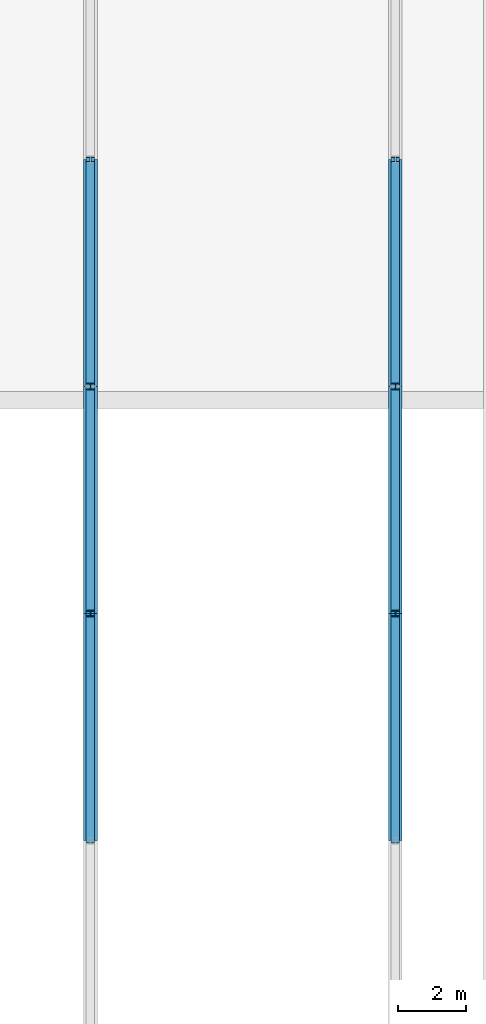
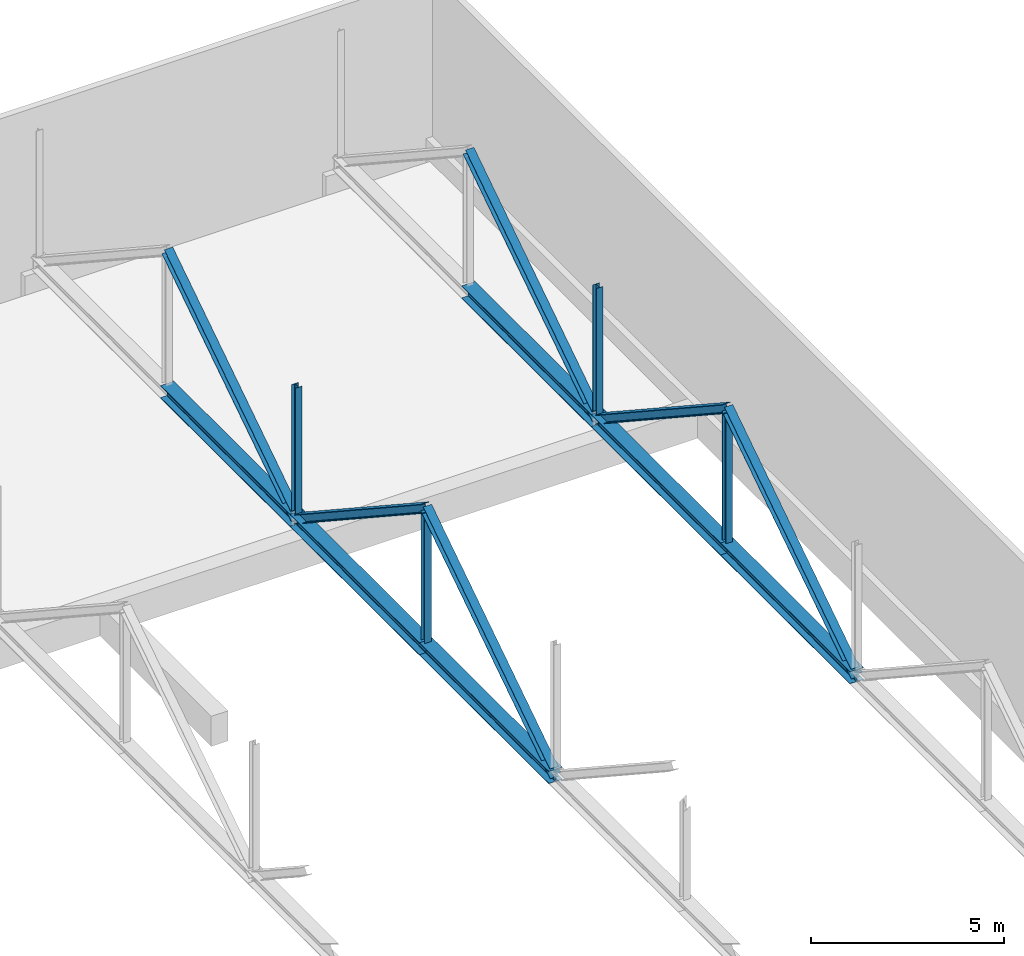
# One storey, part 16 of 49: 16 members.
"""IFC4 building model written with IfcOpenShell, lengths in metres."""

from ifc_helpers import new_model, si_unit, direction, frame, origin, origin_2d, place, context, subcontext, project, spatial, i_section, extrude, material, material_profile, profile_set, type_object, element, save


model = new_model("IFC4")

# Units and contexts
model_context = context("Model", 3, precision=1e-05, world=origin(), true_north=direction((0.0, 1.0)))
body_context = subcontext(model_context, "Body", "Model", "MODEL_VIEW")
ifc_project = project(units=[si_unit("LENGTHUNIT", "METRE"), si_unit("AREAUNIT", "SQUARE_METRE"), si_unit("VOLUMEUNIT", "CUBIC_METRE"), si_unit("PLANEANGLEUNIT", "RADIAN"), si_unit("MASSUNIT", "GRAM", prefix="KILO")], contexts=[model_context])

# Site, building, storey
site_placement = place(None, origin())
site = spatial("IfcSite", under=ifc_project, at=site_placement, CompositionType="ELEMENT")
building_placement = place(site_placement, origin())
building = spatial("IfcBuilding", under=site, at=building_placement, Name="Hunhe Ridgeline Campus", CompositionType="ELEMENT")
storey_placement = place(building_placement, frame((0.0, 0.0, 21.60009765625)))
storey = spatial("IfcBuildingStorey", under=building, at=storey_placement, Name="L04", CompositionType="ELEMENT", Elevation=21.60009765625)

# Members
ifc_material = material(Name="Steel Q355", Category="steel")
ifc_material_profile_1 = material_profile(ifc_material, i_section(OverallWidth=0.39990234375, OverallDepth=0.39990234375, WebThickness=0.012939453125, FlangeThickness=0.02099609375, FilletRadius=0.02197265625, at=origin_2d()))
ifc_profile_set_1 = profile_set([ifc_material_profile_1], Name="Steel Q355")
member_type_1 = type_object("IfcMemberType", Name="Roof truss chord HW400x400x13x21 Q355", PredefinedType="CHORD", material=ifc_profile_set_1)
for number, where, z_axis, x_axis, name in (
    (1, (198.0, 49.5, 0.789794921875), (0.0, 1.0, 0.0), (-1.0, 0.0, 0.0), "Roof truss 6 bottom chord 5"),
    (2, (198.0, 56.199951171875, 0.789794921875), (0.0, 1.0, 0.0), (-1.0, 0.0, 0.0), "Roof truss 6 bottom chord 6"),
):
    element("IfcMember", number, at=place(storey_placement, frame(where, z_axis=z_axis, x_axis=x_axis)), inside=storey, type_object=member_type_1, Name=name, PredefinedType="CHORD", context=body_context, shape_type="SweptSolid", body=[
        extrude(i_section(OverallWidth=0.39990234375, OverallDepth=0.39990234375, WebThickness=0.012939453125, FlangeThickness=0.02099609375, FilletRadius=0.02197265625, at=origin_2d()), origin(), (0.0, 0.0, 1.0), 6.699951171875),
    ])
member_1_placement = place(storey_placement, frame((198.0, 62.89990234375, 0.789794921875), z_axis=(0.0, 1.0, 0.0), x_axis=(-1.0, 0.0, 0.0)))
element("IfcMember", 3, at=member_1_placement, inside=storey, type_object=member_type_1, Name="Roof truss 6 bottom chord 7", PredefinedType="CHORD", context=body_context, shape_type="SweptSolid", body=[
    extrude(i_section(OverallWidth=0.39990234375, OverallDepth=0.39990234375, WebThickness=0.012939453125, FlangeThickness=0.02099609375, FilletRadius=0.02197265625, at=origin_2d()), origin(), (0.0, 0.0, 1.0), 6.7001953125),
])
for number, where, z_axis, x_axis, name in (
    (4, (207.0, 49.5, 0.789794921875), (0.0, 1.0, 0.0), (-1.0, 0.0, 0.0), "Roof truss 7 bottom chord 5"),
    (5, (207.0, 56.199951171875, 0.789794921875), (0.0, 1.0, 0.0), (-1.0, 0.0, 0.0), "Roof truss 7 bottom chord 6"),
):
    element("IfcMember", number, at=place(storey_placement, frame(where, z_axis=z_axis, x_axis=x_axis)), inside=storey, type_object=member_type_1, Name=name, PredefinedType="CHORD", context=body_context, shape_type="SweptSolid", body=[
        extrude(i_section(OverallWidth=0.39990234375, OverallDepth=0.39990234375, WebThickness=0.012939453125, FlangeThickness=0.02099609375, FilletRadius=0.02197265625, at=origin_2d()), origin(), (0.0, 0.0, 1.0), 6.699951171875),
    ])
member_2_placement = place(storey_placement, frame((207.0, 62.89990234375, 0.789794921875), z_axis=(0.0, 1.0, 0.0), x_axis=(-1.0, 0.0, 0.0)))
element("IfcMember", 6, at=member_2_placement, inside=storey, type_object=member_type_1, Name="Roof truss 7 bottom chord 7", PredefinedType="CHORD", context=body_context, shape_type="SweptSolid", body=[
    extrude(i_section(OverallWidth=0.39990234375, OverallDepth=0.39990234375, WebThickness=0.012939453125, FlangeThickness=0.02099609375, FilletRadius=0.02197265625, at=origin_2d()), origin(), (0.0, 0.0, 1.0), 6.7001953125),
])
ifc_material_profile_2 = material_profile(ifc_material, i_section(OverallWidth=0.25, OverallDepth=0.25, WebThickness=0.009033203125, FlangeThickness=0.013916015625, FilletRadius=0.012939453125, at=origin_2d()))
ifc_profile_set_2 = profile_set([ifc_material_profile_2], Name="Steel Q355")
member_type_2 = type_object("IfcMemberType", Name="Roof truss diagonal HW250x250x9x14 Q355", PredefinedType="BRACE", material=ifc_profile_set_2)
for number, where, z_axis, x_axis, name in (
    (7, (198.0, 49.5, 0.789794921875), (0.0, 0.835858813721, 0.548944481277), (-1.0, 0.0, 0.0), "Roof truss 6 diagonal 5"),
    (8, (198.0, 56.199951171875, 5.18994140625), (0.0, 0.835858813721, -0.548944481277), (-1.0, 0.0, 0.0), "Roof truss 6 diagonal 6"),
):
    element("IfcMember", number, at=place(storey_placement, frame(where, z_axis=z_axis, x_axis=x_axis)), inside=storey, type_object=member_type_2, Name=name, PredefinedType="BRACE", context=body_context, shape_type="SweptSolid", body=[
        extrude(i_section(OverallWidth=0.25, OverallDepth=0.25, WebThickness=0.009033203125, FlangeThickness=0.013916015625, FilletRadius=0.012939453125, at=origin_2d()), origin(), (0.0, 0.0, 1.0), 8.015625),
    ])
member_3_placement = place(storey_placement, frame((198.0, 62.89990234375, 0.789794921875), z_axis=(0.0, 0.835867991585, 0.548930506207), x_axis=(-1.0, 0.0, 0.0)))
element("IfcMember", 9, at=member_3_placement, inside=storey, type_object=member_type_2, Name="Roof truss 6 diagonal 7", PredefinedType="BRACE", context=body_context, shape_type="SweptSolid", body=[
    extrude(i_section(OverallWidth=0.25, OverallDepth=0.25, WebThickness=0.009033203125, FlangeThickness=0.013916015625, FilletRadius=0.012939453125, at=origin_2d()), origin(), (0.0, 0.0, 1.0), 8.015869140625),
])
for number, where, z_axis, x_axis, name in (
    (10, (207.0, 49.5, 0.789794921875), (0.0, 0.835858813721, 0.548944481277), (-1.0, 0.0, 0.0), "Roof truss 7 diagonal 5"),
    (11, (207.0, 56.199951171875, 5.18994140625), (0.0, 0.835858813721, -0.548944481277), (-1.0, 0.0, 0.0), "Roof truss 7 diagonal 6"),
):
    element("IfcMember", number, at=place(storey_placement, frame(where, z_axis=z_axis, x_axis=x_axis)), inside=storey, type_object=member_type_2, Name=name, PredefinedType="BRACE", context=body_context, shape_type="SweptSolid", body=[
        extrude(i_section(OverallWidth=0.25, OverallDepth=0.25, WebThickness=0.009033203125, FlangeThickness=0.013916015625, FilletRadius=0.012939453125, at=origin_2d()), origin(), (0.0, 0.0, 1.0), 8.015625),
    ])
member_4_placement = place(storey_placement, frame((207.0, 62.89990234375, 0.789794921875), z_axis=(0.0, 0.835867991585, 0.548930506207), x_axis=(-1.0, 0.0, 0.0)))
element("IfcMember", 12, at=member_4_placement, inside=storey, type_object=member_type_2, Name="Roof truss 7 diagonal 7", PredefinedType="BRACE", context=body_context, shape_type="SweptSolid", body=[
    extrude(i_section(OverallWidth=0.25, OverallDepth=0.25, WebThickness=0.009033203125, FlangeThickness=0.013916015625, FilletRadius=0.012939453125, at=origin_2d()), origin(), (0.0, 0.0, 1.0), 8.015869140625),
])
ifc_material_profile_3 = material_profile(ifc_material, i_section(OverallWidth=0.199951171875, OverallDepth=0.199951171875, WebThickness=0.008056640625, FlangeThickness=0.011962890625, FilletRadius=0.012939453125, at=origin_2d()))
ifc_profile_set_3 = profile_set([ifc_material_profile_3], Name="Steel Q355")
member_type_3 = type_object("IfcMemberType", Name="Roof truss post HW200x200x8x12 Q355", PredefinedType="POST", material=ifc_profile_set_3)
for number, where, z_axis, x_axis, name in (
    (13, (198.0, 56.199951171875, 0.989990234375), (0.0, 0.0, 1.0), (1.0, 0.0, 0.0), "Roof truss 6 post 5"),
    (14, (198.0, 62.89990234375, 0.989990234375), (0.0, 0.0, 1.0), (1.0, 0.0, 0.0), "Roof truss 6 post 6"),
    (15, (207.0, 56.199951171875, 0.989990234375), (0.0, 0.0, 1.0), (1.0, 0.0, 0.0), "Roof truss 7 post 5"),
    (16, (207.0, 62.89990234375, 0.989990234375), (0.0, 0.0, 1.0), (1.0, 0.0, 0.0), "Roof truss 7 post 6"),
):
    element("IfcMember", number, at=place(storey_placement, frame(where, z_axis=z_axis, x_axis=x_axis)), inside=storey, type_object=member_type_3, Name=name, PredefinedType="POST", context=body_context, shape_type="SweptSolid", body=[
        extrude(i_section(OverallWidth=0.199951171875, OverallDepth=0.199951171875, WebThickness=0.008056640625, FlangeThickness=0.011962890625, FilletRadius=0.012939453125, at=origin_2d()), origin(), (0.0, 0.0, 1.0), 4.0),
    ])

save(model, "model.ifc")
